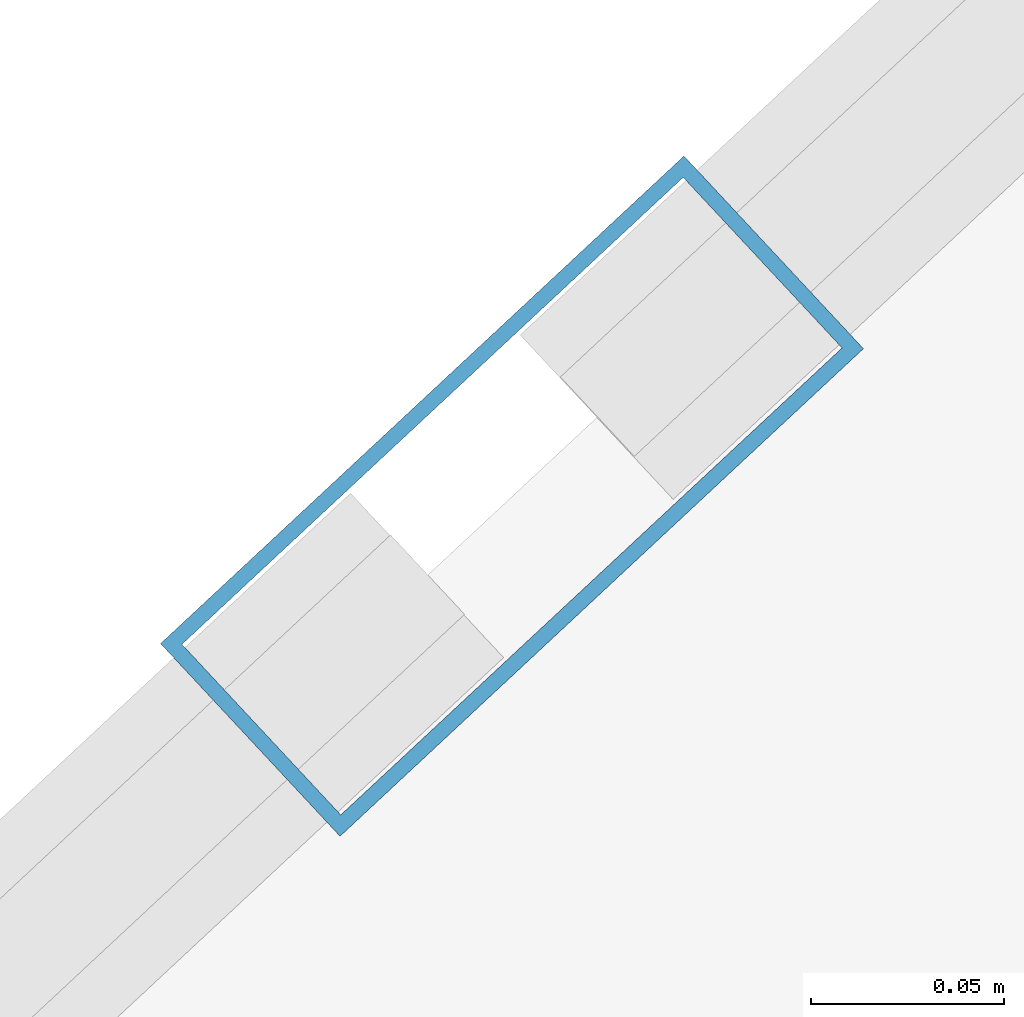
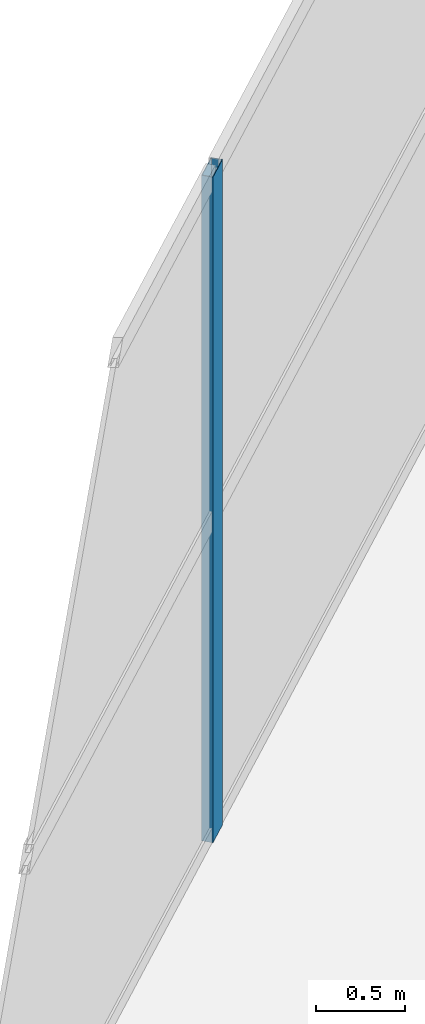
# One storey, part 4 of 16: 1 member, 1 element without a shape of its own.
"""IFC4 building model written with IfcOpenShell, lengths in metres."""

from ifc_helpers import new_model, si_unit, direction, frame, origin, origin_2d, place, context, subcontext, project, spatial, hollow_rectangle, extrude, material, layer, layer_set, material_profile, profile_set, type_object, element, aggregate, save


model = new_model("IFC4")

# Units and contexts
model_context = context("Model", 3, precision=1e-05, world=origin(), true_north=direction((0.0, 1.0)))
body_context = subcontext(model_context, "Body", "Model", "MODEL_VIEW")
ifc_project = project(units=[si_unit("LENGTHUNIT", "METRE"), si_unit("AREAUNIT", "SQUARE_METRE"), si_unit("VOLUMEUNIT", "CUBIC_METRE"), si_unit("PLANEANGLEUNIT", "RADIAN"), si_unit("MASSUNIT", "GRAM", prefix="KILO")], contexts=[model_context])

# Site, building, storey
site_placement = place(None, origin())
site = spatial("IfcSite", under=ifc_project, at=site_placement, CompositionType="ELEMENT")
building_placement = place(site_placement, origin())
building = spatial("IfcBuilding", under=site, at=building_placement, Name="Calvorn Quay Hotel", CompositionType="ELEMENT")
storey_placement = place(building_placement, frame((0.0, 0.0, 234.5)))
storey = spatial("IfcBuildingStorey", under=building, at=storey_placement, Name="L58", CompositionType="ELEMENT", Elevation=234.5)

# Curtain wall, member
ifc_material_1 = material(Name="Champagne Bronze Anodised Aluminium and Low-E Glass", Category="aluminium")
ifc_layer = layer(ifc_material_1, 0.219970703125)
ifc_layer_set = layer_set([ifc_layer], Name="CW-SYS-Z3")
curtain_wall_type = type_object("IfcCurtainWallType", Name="CW-SYS-Z3", PredefinedType="NOTDEFINED", material=ifc_layer_set)
curtain_wall_placement = place(storey_placement, origin())
curtain_wall = element("IfcCurtainWall", 1, at=curtain_wall_placement, inside=storey, type_object=curtain_wall_type, Name="Inner Court Curtain Wall L58-NE1", PredefinedType="NOTDEFINED")
ifc_material_2 = material(Name="Champagne Bronze Anodised Aluminium 6063-T6", Category="aluminium")
ifc_material_profile = material_profile(ifc_material_2, hollow_rectangle(XDim=0.068115234375, YDim=0.18505859375, WallThickness=0.00390625, at=origin_2d()), Name="ALU-M185x68x4")
ifc_profile_set = profile_set([ifc_material_profile], Name="Champagne Bronze Anodised Aluminium 6063-T6")
member_type = type_object("IfcMemberType", Name="CW-SYS-Z3-MUL", PredefinedType="MULLION", material=ifc_profile_set)
member_placement = place(storey_placement, frame((28.89990234375, 31.199951171875, 0.0), z_axis=(0.0, 0.0, 1.0), x_axis=(0.681603655102, -0.731721570922, 0.0)))
member = element("IfcMember", 2, at=member_placement, type_object=member_type, Name="CW-L58-NE1 mullion 2", PredefinedType="MULLION", context=body_context, shape_type="SweptSolid", body=[
    extrude(hollow_rectangle(XDim=0.068115234375, YDim=0.18505859375, WallThickness=0.00390625, at=origin_2d()), origin(), (0.0, 0.0, 1.0), 4.56005859375),
])
aggregate(curtain_wall, [member])

save(model, "model.ifc")
